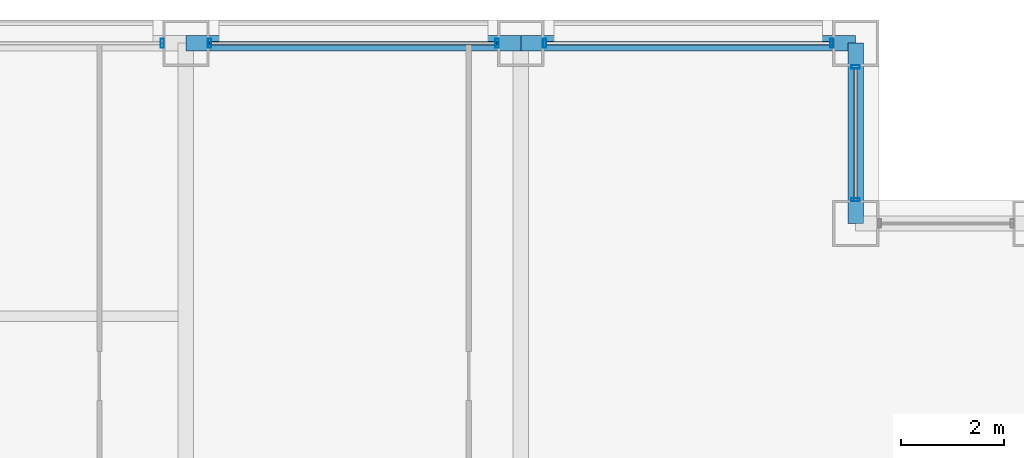
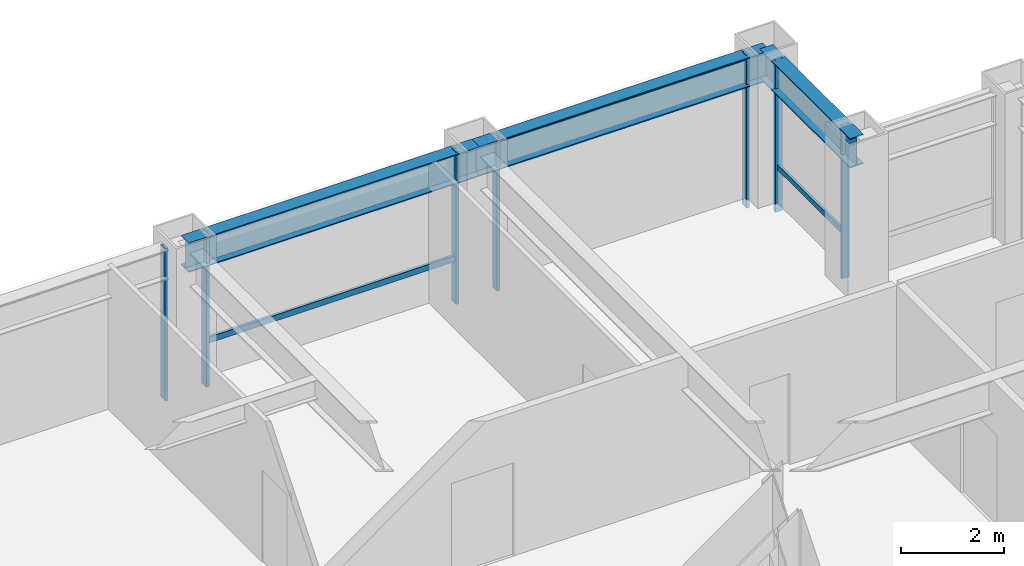
# One storey, part 19 of 28: 10 members, 3 beams, 4 elements without a shape of their own.
"""IFC4 building model written with IfcOpenShell, lengths in metres."""

from ifc_helpers import new_model, si_unit, direction, frame, origin, origin_2d, place, context, subcontext, project, spatial, hollow_rectangle, i_section, extrude, material, layer, layer_set, material_profile, profile_set, type_object, element, aggregate, save


model = new_model("IFC4")

# Units and contexts
model_context = context("Model", 3, precision=1e-05, world=origin(), true_north=direction((0.0, 1.0)))
body_context = subcontext(model_context, "Body", "Model", "MODEL_VIEW")
ifc_project = project(units=[si_unit("LENGTHUNIT", "METRE"), si_unit("AREAUNIT", "SQUARE_METRE"), si_unit("VOLUMEUNIT", "CUBIC_METRE"), si_unit("PLANEANGLEUNIT", "RADIAN"), si_unit("MASSUNIT", "GRAM", prefix="KILO")], contexts=[model_context])

# Site, building, storey
site_placement = place(None, origin())
site = spatial("IfcSite", under=ifc_project, at=site_placement, CompositionType="ELEMENT")
building_placement = place(site_placement, origin())
building = spatial("IfcBuilding", under=site, at=building_placement, Name="Brelmoor Portico Tower", CompositionType="ELEMENT")
storey_placement = place(building_placement, frame((0.0, 0.0, 70.800048828125)))
storey = spatial("IfcBuildingStorey", under=building, at=storey_placement, Name="L18", CompositionType="ELEMENT", Elevation=70.800048828125)

# Beams
ifc_material_1 = material(Name="Steel Q355B", Category="steel")
ifc_material_profile_1 = material_profile(ifc_material_1, i_section(OverallWidth=0.300048828125, OverallDepth=0.699951171875, WebThickness=0.012939453125, FlangeThickness=0.02392578125, at=origin_2d()), Name="HN 700x300x13x24")
ifc_profile_set_1 = profile_set([ifc_material_profile_1], Name="Steel Q355B")
beam_type = type_object("IfcBeamType", Name="BM-SP-700", PredefinedType="SPANDREL", material=ifc_profile_set_1)
for number, where, z_axis, x_axis, name in (
    (1, (8.050048828125, 21.550048828125, 3.050048828125), (1.0, 0.0, 0.0), (0.0, 1.0, 0.0), "L18 Perimeter Spandrel Beam SP-13"),
    (2, (14.550048828125, 21.550048828125, 3.050048828125), (1.0, 0.0, 0.0), (0.0, 1.0, 0.0), "L18 Perimeter Spandrel Beam SP-14"),
):
    element("IfcBeam", number, at=place(storey_placement, frame(where, z_axis=z_axis, x_axis=x_axis)), inside=storey, type_object=beam_type, Name=name, PredefinedType="SPANDREL", context=body_context, shape_type="SweptSolid", body=[
        extrude(i_section(OverallWidth=0.300048828125, OverallDepth=0.699951171875, WebThickness=0.012939453125, FlangeThickness=0.02392578125, at=origin_2d()), origin(), (0.0, 0.0, 1.0), 6.5),
    ])
beam_placement = place(storey_placement, frame((21.050048828125, 18.050048828125, 3.050048828125), z_axis=(0.0, 1.0, 0.0), x_axis=(-1.0, 0.0, 0.0)))
element("IfcBeam", 3, at=beam_placement, inside=storey, type_object=beam_type, Name="L18 Perimeter Spandrel Beam SP-21", PredefinedType="SPANDREL", context=body_context, shape_type="SweptSolid", body=[
    extrude(i_section(OverallWidth=0.300048828125, OverallDepth=0.699951171875, WebThickness=0.012939453125, FlangeThickness=0.02392578125, at=origin_2d()), origin(), (0.0, 0.0, 1.0), 3.5),
])

# Curtain wall, members
ifc_material_2 = material(Name="Anodised Aluminium Alloy 6063-T6", Category="aluminium")
ifc_layer_1 = layer(ifc_material_2, 0.179931640625)
ifc_layer_set_1 = layer_set([ifc_layer_1], Name="Anodised Aluminium Alloy 6063-T6")
curtain_wall_type_1 = type_object("IfcCurtainWallType", Name="CW-NOTCH-CHAMFER", PredefinedType="NOTDEFINED", material=ifc_layer_set_1)
curtain_wall_1_placement = place(storey_placement, origin())
curtain_wall_1 = element("IfcCurtainWall", 4, at=curtain_wall_1_placement, inside=storey, type_object=curtain_wall_type_1, Name="L18 Curtain Wall CWN-L18-NEV", PredefinedType="NOTDEFINED")
ifc_material_profile_2 = material_profile(ifc_material_2, hollow_rectangle(XDim=0.06494140625, YDim=0.1650390625, WallThickness=0.00390625, at=origin_2d()), Name="ALU MULLION 65x165")
ifc_profile_set_2 = profile_set([ifc_material_profile_2], Name="Anodised Aluminium Alloy 6063-T6")
member_type_1 = type_object("IfcMemberType", Name="MB-CW-MULL-165", PredefinedType="MULLION", material=ifc_profile_set_2)
member_1_placement = place(storey_placement, frame((21.050048828125, 18.510009765625, -0.199951171875), z_axis=(0.0, 0.0, 1.0), x_axis=(0.0, 1.0, 0.0)))
member_1 = element("IfcMember", 5, at=member_1_placement, type_object=member_type_1, Name="CWN-L18-NEV Mullion 00", PredefinedType="MULLION", context=body_context, shape_type="SweptSolid", body=[
    extrude(hollow_rectangle(XDim=0.06494140625, YDim=0.1650390625, WallThickness=0.00390625, at=origin_2d()), origin(), (0.0, 0.0, 1.0), 3.599853515625),
])
member_2_placement = place(storey_placement, frame((21.050048828125, 21.090087890625, -0.199951171875), z_axis=(0.0, 0.0, 1.0), x_axis=(0.0, 1.0, 0.0)))
member_2 = element("IfcMember", 6, at=member_2_placement, type_object=member_type_1, Name="CWN-L18-NEV Mullion 01", PredefinedType="MULLION", context=body_context, shape_type="SweptSolid", body=[
    extrude(hollow_rectangle(XDim=0.06494140625, YDim=0.1650390625, WallThickness=0.00390625, at=origin_2d()), origin(), (0.0, 0.0, 1.0), 3.599853515625),
])

# Curtain wall, member
ifc_layer_2 = layer(ifc_material_2, 0.179931640625)
ifc_layer_set_2 = layer_set([ifc_layer_2], Name="Anodised Aluminium Alloy 6063-T6")
curtain_wall_type_2 = type_object("IfcCurtainWallType", Name="CW-TOWER-Z1-XB", PredefinedType="NOTDEFINED", material=ifc_layer_set_2)
curtain_wall_2_placement = place(storey_placement, origin())
curtain_wall_2 = element("IfcCurtainWall", 7, at=curtain_wall_2_placement, inside=storey, type_object=curtain_wall_type_2, Name="L18 Curtain Wall CW-L18-02-3", PredefinedType="NOTDEFINED")
ifc_material_profile_3 = material_profile(ifc_material_2, hollow_rectangle(XDim=0.06494140625, YDim=0.179931640625, WallThickness=0.00390625, at=origin_2d()), Name="ALU MULLION 65x180")
ifc_profile_set_3 = profile_set([ifc_material_profile_3], Name="Anodised Aluminium Alloy 6063-T6")
member_type_2 = type_object("IfcMemberType", Name="MB-CW-MULL-180", PredefinedType="MULLION", material=ifc_profile_set_3)
member_3_placement = place(storey_placement, frame((7.590087890625, 21.550048828125, -0.199951171875), z_axis=(0.0, 0.0, 1.0), x_axis=(1.0, 0.0, 0.0)))
member_3 = element("IfcMember", 8, at=member_3_placement, type_object=member_type_2, Name="CW-L18-02-3 Mullion 01", PredefinedType="MULLION", context=body_context, shape_type="SweptSolid", body=[
    extrude(hollow_rectangle(XDim=0.06494140625, YDim=0.179931640625, WallThickness=0.00390625, at=origin_2d()), origin(), (0.0, 0.0, 1.0), 3.599853515625),
])
aggregate(curtain_wall_2, [member_3])

# Curtain wall, members
ifc_layer_3 = layer(ifc_material_2, 0.179931640625)
ifc_layer_set_3 = layer_set([ifc_layer_3], Name="Anodised Aluminium Alloy 6063-T6")
curtain_wall_type_3 = type_object("IfcCurtainWallType", Name="CW-TOWER-Z1", PredefinedType="NOTDEFINED", material=ifc_layer_set_3)
curtain_wall_3_placement = place(storey_placement, origin())
curtain_wall_3 = element("IfcCurtainWall", 9, at=curtain_wall_3_placement, inside=storey, type_object=curtain_wall_type_3, Name="L18 Curtain Wall CW-L18-02-4", PredefinedType="NOTDEFINED")
member_4_placement = place(storey_placement, frame((8.510009765625, 21.550048828125, -0.199951171875), z_axis=(0.0, 0.0, 1.0), x_axis=(1.0, 0.0, 0.0)))
member_4 = element("IfcMember", 10, at=member_4_placement, type_object=member_type_2, Name="CW-L18-02-4 Mullion 00", PredefinedType="MULLION", context=body_context, shape_type="SweptSolid", body=[
    extrude(hollow_rectangle(XDim=0.06494140625, YDim=0.179931640625, WallThickness=0.00390625, at=origin_2d()), origin(), (0.0, 0.0, 1.0), 3.599853515625),
])
member_5_placement = place(storey_placement, frame((14.090087890625, 21.550048828125, -0.199951171875), z_axis=(0.0, 0.0, 1.0), x_axis=(1.0, 0.0, 0.0)))
member_5 = element("IfcMember", 11, at=member_5_placement, type_object=member_type_2, Name="CW-L18-02-4 Mullion 01", PredefinedType="MULLION", context=body_context, shape_type="SweptSolid", body=[
    extrude(hollow_rectangle(XDim=0.06494140625, YDim=0.179931640625, WallThickness=0.00390625, at=origin_2d()), origin(), (0.0, 0.0, 1.0), 3.599853515625),
])

curtain_wall_4_placement = place(storey_placement, origin())
curtain_wall_4 = element("IfcCurtainWall", 12, at=curtain_wall_4_placement, inside=storey, type_object=curtain_wall_type_2, Name="L18 Curtain Wall CW-L18-02-5", PredefinedType="NOTDEFINED")
member_6_placement = place(storey_placement, frame((15.010009765625, 21.550048828125, -0.199951171875), z_axis=(0.0, 0.0, 1.0), x_axis=(1.0, 0.0, 0.0)))
member_6 = element("IfcMember", 13, at=member_6_placement, type_object=member_type_2, Name="CW-L18-02-5 Mullion 00", PredefinedType="MULLION", context=body_context, shape_type="SweptSolid", body=[
    extrude(hollow_rectangle(XDim=0.06494140625, YDim=0.179931640625, WallThickness=0.00390625, at=origin_2d()), origin(), (0.0, 0.0, 1.0), 3.599853515625),
])
member_7_placement = place(storey_placement, frame((20.590087890625, 21.550048828125, -0.199951171875), z_axis=(0.0, 0.0, 1.0), x_axis=(1.0, 0.0, 0.0)))
member_7 = element("IfcMember", 14, at=member_7_placement, type_object=member_type_2, Name="CW-L18-02-5 Mullion 01", PredefinedType="MULLION", context=body_context, shape_type="SweptSolid", body=[
    extrude(hollow_rectangle(XDim=0.06494140625, YDim=0.179931640625, WallThickness=0.00390625, at=origin_2d()), origin(), (0.0, 0.0, 1.0), 3.599853515625),
])

# Member
ifc_material_profile_4 = material_profile(ifc_material_2, hollow_rectangle(XDim=0.06005859375, YDim=0.125, WallThickness=0.00341796875, at=origin_2d()), Name="ALU TRANSOM 60x125")
ifc_profile_set_4 = profile_set([ifc_material_profile_4], Name="Anodised Aluminium Alloy 6063-T6")
member_type_3 = type_object("IfcMemberType", Name="MB-CW-TRAN-125", PredefinedType="USERDEFINED", material=ifc_profile_set_4)
member_8_placement = place(storey_placement, frame((21.050048828125, 18.510009765625, 0.849853515625), z_axis=(0.0, 1.0, 0.0), x_axis=(-1.0, 0.0, 0.0)))
member_8 = element("IfcMember", 15, at=member_8_placement, type_object=member_type_3, Name="CWN-L18-NEV Transom 1-00", ObjectType="TRANSOM", PredefinedType="USERDEFINED", context=body_context, shape_type="SweptSolid", body=[
    extrude(hollow_rectangle(XDim=0.06005859375, YDim=0.125, WallThickness=0.00341796875, at=origin_2d()), origin(), (0.0, 0.0, 1.0), 2.580078125),
])

aggregate(curtain_wall_1, [member_1, member_2, member_8])

ifc_material_profile_5 = material_profile(ifc_material_2, hollow_rectangle(XDim=0.06494140625, YDim=0.139892578125, WallThickness=0.00390625, at=origin_2d()), Name="ALU TRANSOM 65x140")
ifc_profile_set_5 = profile_set([ifc_material_profile_5], Name="Anodised Aluminium Alloy 6063-T6")
member_type_4 = type_object("IfcMemberType", Name="MB-CW-TRAN-140", PredefinedType="USERDEFINED", material=ifc_profile_set_5)
member_9_placement = place(storey_placement, frame((8.510009765625, 21.550048828125, 0.849853515625), z_axis=(1.0, 0.0, 0.0), x_axis=(0.0, 1.0, 0.0)))
member_9 = element("IfcMember", 16, at=member_9_placement, type_object=member_type_4, Name="CW-L18-02-4 Transom 1-00", ObjectType="TRANSOM", PredefinedType="USERDEFINED", context=body_context, shape_type="SweptSolid", body=[
    extrude(hollow_rectangle(XDim=0.06494140625, YDim=0.139892578125, WallThickness=0.00390625, at=origin_2d()), origin(), (0.0, 0.0, 1.0), 5.580078125),
])

aggregate(curtain_wall_3, [member_4, member_5, member_9])

member_10_placement = place(storey_placement, frame((15.010009765625, 21.550048828125, 3.329833984375), z_axis=(1.0, 0.0, 0.0), x_axis=(0.0, 1.0, 0.0)))
member_10 = element("IfcMember", 17, at=member_10_placement, type_object=member_type_4, Name="CW-L18-02-5 Transom 1-00", ObjectType="TRANSOM", PredefinedType="USERDEFINED", context=body_context, shape_type="SweptSolid", body=[
    extrude(hollow_rectangle(XDim=0.06494140625, YDim=0.139892578125, WallThickness=0.00390625, at=origin_2d()), origin(), (0.0, 0.0, 1.0), 5.580078125),
])

aggregate(curtain_wall_4, [member_6, member_7, member_10])

save(model, "model.ifc")
